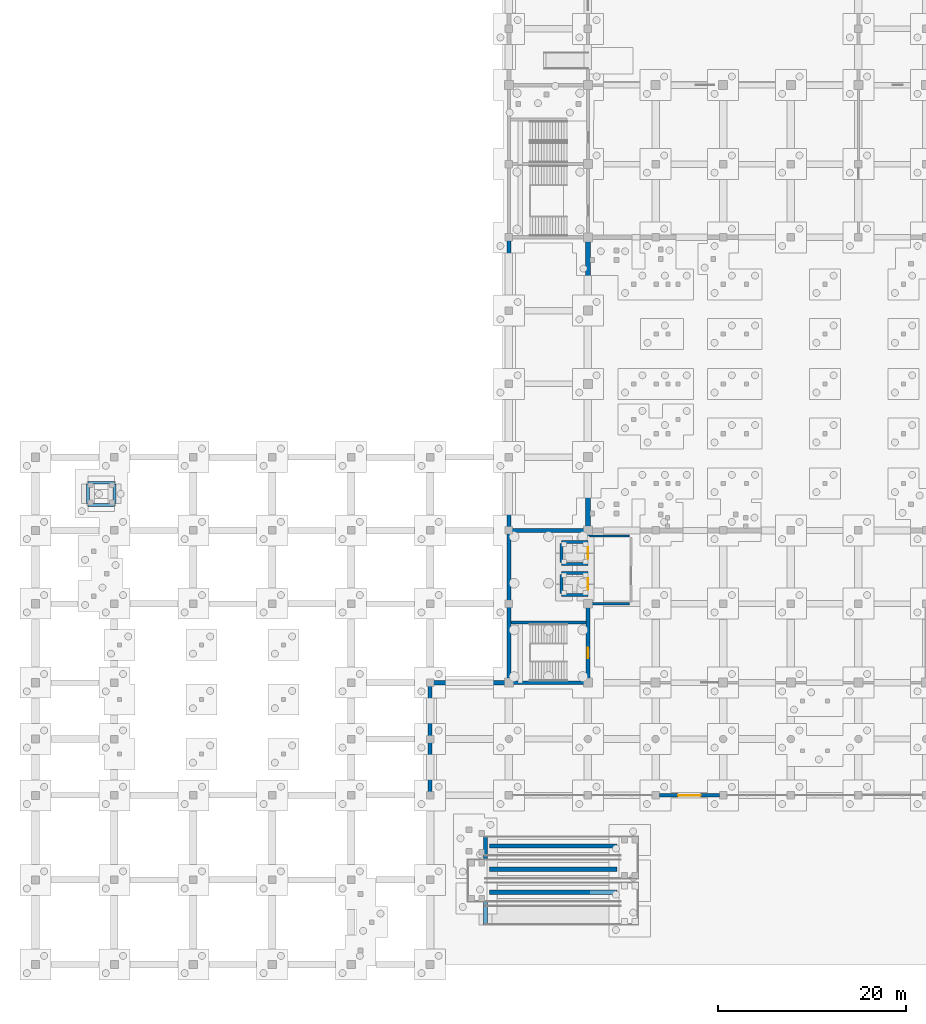
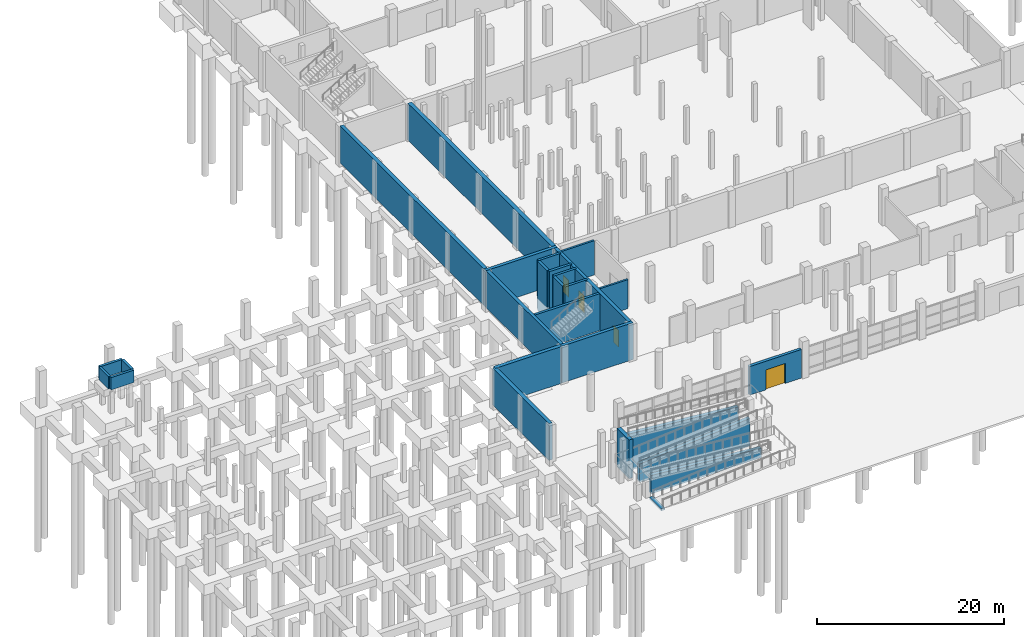
# One storey, part 29 of 42: 27 walls, 4 doors, 4 openings.
"""IFC4 building model written with IfcOpenShell, lengths in metres."""

from ifc_helpers import new_model, si_unit, direction, frame, frame_2d, origin, place, context, subcontext, project, spatial, polyline, rectangle, outline, extrude, material, layer, layer_set, type_object, element, fill, save


model = new_model("IFC4")

# Units and contexts
model_context = context("Model", 3, precision=1e-05, world=origin(), true_north=direction((0.0, 1.0)))
body_context = subcontext(model_context, "Body", "Model", "MODEL_VIEW")
ifc_project = project(units=[si_unit("LENGTHUNIT", "METRE"), si_unit("AREAUNIT", "SQUARE_METRE"), si_unit("VOLUMEUNIT", "CUBIC_METRE"), si_unit("PLANEANGLEUNIT", "RADIAN"), si_unit("MASSUNIT", "GRAM", prefix="KILO")], contexts=[model_context])

# Site, building, storey
site_placement = place(None, origin())
site = spatial("IfcSite", under=ifc_project, at=site_placement, CompositionType="ELEMENT")
building_placement = place(site_placement, origin())
building = spatial("IfcBuilding", under=site, at=building_placement, Name="Pellamere Symphony Hall", CompositionType="ELEMENT")
storey_placement = place(building_placement, frame((0.0, 0.0, -4.800048828125)))
storey = spatial("IfcBuildingStorey", under=building, at=storey_placement, Name="B1", CompositionType="ELEMENT", Elevation=-4.800048828125)

# Wall, opening, door
ifc_material_1 = material(Name="Precast concrete 40 MPa", Category="concrete")
ifc_layer_1 = layer(ifc_material_1, 0.360107421875, Name="Precast concrete 40 MPa")
ifc_layer_set_1 = layer_set([ifc_layer_1], Name="Precast concrete 40 MPa")
wall_type_1 = type_object("IfcWallType", Name="Exterior Wall EW-01 360mm", PredefinedType="SOLIDWALL", material=ifc_layer_set_1)
wall_1_placement = place(storey_placement, frame((66.39990234375, 18.0, 0.0), z_axis=(0.0, 0.0, 1.0), x_axis=(1.0, 0.0, 0.0)))
wall_1 = element("IfcWall", 1, at=wall_1_placement, inside=storey, type_object=wall_type_1, Name="Exterior Wall EW-01-036 (B1)", PredefinedType="SOLIDWALL", context=body_context, shape_type="SweptSolid", body=[
    extrude(rectangle(XDim=6.400146484375, YDim=0.360107421875, at=frame_2d((3.2001953125, 0.0))), origin(), (0.0, 0.0, 1.0), 3.72998046875),
])
opening_1_placement = place(wall_1_placement, frame((2.0, 0.0, 0.0)))
opening_1 = element("IfcOpeningElement", 2, at=opening_1_placement, cuts=wall_1, Name="Opening E01", PredefinedType="OPENING", context=body_context, shape_type="SweptSolid", body=[
    extrude(rectangle(XDim=2.39990234375, YDim=2.60009765625, at=frame_2d((1.199951171875, 1.300048828125))), frame((0.0, 0.18994140625, 0.0), z_axis=(0.0, -1.0, 0.0), x_axis=(1.0, 0.0, 0.0)), (0.0, 0.0, 1.0), 0.380126953125),
])
ifc_material_2 = material(Name="Thermally Broken Bronze-Anodised Aluminium Acoustic Door", Category="aluminium")
door_type_1 = type_object("IfcDoorType", Name="Exterior Door ED-01 2400x2600", OperationType="NOTDEFINED", PredefinedType="DOOR", material=ifc_material_2)
door_1_placement = place(opening_1_placement, frame((2.39990234375, 0.0, 0.0), z_axis=(0.0, 0.0, 1.0), x_axis=(-1.0, 0.0, 0.0)))
door_1 = element("IfcDoor", 3, at=door_1_placement, inside=storey, type_object=door_type_1, Name="Metro Forecourt West Portal", OperationType="DOUBLE_DOOR_SINGLE_SWING", OverallHeight=2.60009765625, OverallWidth=2.39990234375, PredefinedType="DOOR", context=body_context, shape_type="SweptSolid", body=[
    extrude(rectangle(XDim=2.39990234375, YDim=2.60009765625, at=frame_2d((1.199951171875, 1.300048828125))), frame((0.0, 0.02490234375, 0.0), z_axis=(0.0, -1.0, 0.0), x_axis=(1.0, 0.0, 0.0)), (0.0, 0.0, 1.0), 0.050048828125),
])
fill(opening_1, door_1)

# Walls
ifc_material_3 = material(Name="Double-Stud STC-65 Acoustic Drywall Partition", Category="gypsum")
ifc_layer_2 = layer(ifc_material_3, 0.239990234375, Name="Double-Stud STC-65 Acoustic Drywall Partition")
ifc_layer_set_2 = layer_set([ifc_layer_2], Name="Double-Stud STC-65 Acoustic Drywall Partition")
wall_type_2 = type_object("IfcWallType", Name="Interior Partition IW-01 240mm", PredefinedType="PARTITIONING", material=ifc_layer_set_2)
wall_2_placement = place(storey_placement, frame((58.9599609375, 38.39990234375, 0.0), z_axis=(0.0, 0.0, 1.0), x_axis=(1.0, 0.0, 0.0)))
element("IfcWall", 4, at=wall_2_placement, inside=storey, type_object=wall_type_2, Name="Interior Partition IW-01-001 (B1)", PredefinedType="PARTITIONING", context=body_context, shape_type="SweptSolid", body=[
    extrude(rectangle(XDim=4.280029296875, YDim=0.239990234375, at=frame_2d((2.14013671875, 0.0))), origin(), (0.0, 0.0, 1.0), 3.780029296875),
])
wall_3_placement = place(storey_placement, frame((58.9599609375, 45.60009765625, 0.0), z_axis=(0.0, 0.0, 1.0), x_axis=(1.0, 0.0, 0.0)))
element("IfcWall", 5, at=wall_3_placement, inside=storey, type_object=wall_type_2, Name="Interior Partition IW-01-002 (B1)", PredefinedType="PARTITIONING", context=body_context, shape_type="SweptSolid", body=[
    extrude(rectangle(XDim=4.280029296875, YDim=0.239990234375, at=frame_2d((2.14013671875, 0.0))), origin(), (0.0, 0.0, 1.0), 4.469970703125),
])
ifc_material_4 = material(Name="Concrete 40 MPa", Category="concrete")
ifc_layer_3 = layer(ifc_material_4, 0.449951171875, Name="Concrete 40 MPa")
ifc_layer_set_3 = layer_set([ifc_layer_3], Name="Concrete 40 MPa")
wall_type_3 = type_object("IfcWallType", Name="Structural Wall SW-01 450mm", PredefinedType="USERDEFINED", material=ifc_layer_set_3)
wall_4_placement = place(storey_placement, frame((42.0, 18.0, 0.0), z_axis=(0.0, 0.0, 1.0), x_axis=(0.0, 1.0, 0.0)))
element("IfcWall", 6, at=wall_4_placement, inside=storey, type_object=wall_type_3, Name="Basement Retaining Wall RW-01", ObjectType="RETAINING", PredefinedType="USERDEFINED", context=body_context, shape_type="SweptSolid", body=[
    extrude(rectangle(XDim=12.0, YDim=0.449951171875, at=frame_2d((6.0, 0.0))), origin(), (0.0, 0.0, 1.0), 4.800048828125),
])
wall_5_placement = place(storey_placement, frame((42.0, 30.0, 0.0), z_axis=(0.0, 0.0, 1.0), x_axis=(1.0, 0.0, 0.0)))
element("IfcWall", 7, at=wall_5_placement, inside=storey, type_object=wall_type_3, Name="Basement Retaining Wall RW-02", ObjectType="RETAINING", PredefinedType="USERDEFINED", context=body_context, shape_type="SweptSolid", body=[
    extrude(rectangle(XDim=8.14990234375, YDim=0.449951171875, at=frame_2d((4.074951171875, 0.0))), origin(), (0.0, 0.0, 1.0), 4.800048828125),
])
wall_6_placement = place(storey_placement, frame((50.39990234375, 46.449951171875, 0.0), z_axis=(0.0, 0.0, 1.0), x_axis=(0.0, 1.0, 0.0)))
element("IfcWall", 8, at=wall_6_placement, inside=storey, type_object=wall_type_3, Name="Basement Retaining Wall RW-03", ObjectType="RETAINING", PredefinedType="USERDEFINED", context=body_context, shape_type="SweptSolid", body=[
    extrude(rectangle(XDim=30.699951171875, YDim=0.449951171875, at=frame_2d((15.35009765625, 0.0))), origin(), (0.0, 0.0, 1.0), 4.800048828125),
])
wall_7_placement = place(storey_placement, frame((47.89990234375, 4.199951171875, -0.25), z_axis=(0.0, 0.0, 1.0), x_axis=(0.0, 1.0, 0.0)))
element("IfcWall", 9, at=wall_7_placement, inside=storey, type_object=wall_type_3, Name="Ramp RMP-01 Lower Sill Wall", ObjectType="RETAINING", PredefinedType="USERDEFINED", context=body_context, shape_type="SweptSolid", body=[
    extrude(rectangle(XDim=2.56005859375, YDim=0.449951171875, at=frame_2d((1.280029296875, 0.0))), origin(), (0.0, 0.0, 1.0), 0.25),
])
wall_8_placement = place(storey_placement, frame((48.300048828125, 7.699951171875, -0.25), z_axis=(0.0, 0.0, 1.0), x_axis=(1.0, 0.0, 0.0)))
element("IfcWall", 10, at=wall_8_placement, inside=storey, type_object=wall_type_3, Name="Ramp RMP-01 Flight 2 Spine Support Wall", ObjectType="RETAINING", PredefinedType="USERDEFINED", context=body_context, shape_type="SweptSolid", body=[
    extrude(outline(polyline([(0.0, 0.0), (13.599853515625, 0.0), (13.60009765625, 1.199951171875), (0.0, 2.400146484375), (0.0, 0.0)])), frame((0.0, 0.22509765625, 0.0), z_axis=(0.0, -1.0, 0.0), x_axis=(1.0, 0.0, 0.0)), (0.0, 0.0, 1.0), 0.449951171875),
])
wall_9_placement = place(storey_placement, frame((48.300048828125, 10.14990234375, -0.25), z_axis=(0.0, 0.0, 1.0), x_axis=(1.0, 0.0, 0.0)))
element("IfcWall", 11, at=wall_9_placement, inside=storey, type_object=wall_type_3, Name="Ramp RMP-01 Flight 3 Spine Support Wall", ObjectType="RETAINING", PredefinedType="USERDEFINED", context=body_context, shape_type="SweptSolid", body=[
    extrude(outline(polyline([(0.0, 0.0), (13.599853515625, 0.0), (13.60009765625, 3.60009765625), (0.0, 2.400146484375), (0.0, 0.0)])), frame((0.0, 0.22509765625, 0.0), z_axis=(0.0, -1.0, 0.0), x_axis=(1.0, 0.0, 0.0)), (0.0, 0.0, 1.0), 0.449951171875),
])
wall_10_placement = place(storey_placement, frame((48.300048828125, 12.60009765625, -0.25), z_axis=(0.0, 0.0, 1.0), x_axis=(1.0, 0.0, 0.0)))
element("IfcWall", 12, at=wall_10_placement, inside=storey, type_object=wall_type_3, Name="Ramp RMP-01 Flight 4 Spine Support Wall", ObjectType="RETAINING", PredefinedType="USERDEFINED", context=body_context, shape_type="SweptSolid", body=[
    extrude(outline(polyline([(0.0, 0.0), (13.599853515625, 0.0), (13.60009765625, 3.60009765625), (0.0, 4.800048828125), (0.0, 0.0)])), frame((0.0, 0.22509765625, 0.0), z_axis=(0.0, -1.0, 0.0), x_axis=(1.0, 0.0, 0.0)), (0.0, 0.0, 1.0), 0.449951171875),
])
wall_11_placement = place(storey_placement, frame((47.89990234375, 11.090087890625, -0.25), z_axis=(0.0, 0.0, 1.0), x_axis=(0.0, 1.0, 0.0)))
element("IfcWall", 13, at=wall_11_placement, inside=storey, type_object=wall_type_3, Name="Ramp RMP-01 Top Abutment Bearing Wall", ObjectType="RETAINING", PredefinedType="USERDEFINED", context=body_context, shape_type="SweptSolid", body=[
    extrude(rectangle(XDim=2.559814453125, YDim=0.449951171875, at=frame_2d((1.27978515625, 0.0))), origin(), (0.0, 0.0, 1.0), 5.050048828125),
])
ifc_material_5 = material(Name="Concrete 50 MPa", Category="concrete")
ifc_layer_4 = layer(ifc_material_5, 0.39990234375, Name="Concrete 50 MPa")
ifc_layer_set_4 = layer_set([ifc_layer_4], Name="Concrete 50 MPa")
wall_type_4 = type_object("IfcWallType", Name="Structural Wall SW-02 400mm", PredefinedType="SHEAR", material=ifc_layer_set_4)
for number, where, z_axis, x_axis, name in (
    (14, (50.199951171875, 30.0, 0.0), (0.0, 0.0, 1.0), (1.0, 0.0, 0.0), "Core Shear Wall C1 S (B1)"),
    (15, (50.199951171875, 46.199951171875, 0.0), (0.0, 0.0, 1.0), (1.0, 0.0, 0.0), "Core Shear Wall C1 N (B1)"),
):
    element("IfcWall", number, at=place(storey_placement, frame(where, z_axis=z_axis, x_axis=x_axis)), inside=storey, type_object=wall_type_4, Name=name, PredefinedType="SHEAR", context=body_context, shape_type="SweptSolid", body=[
        extrude(rectangle(XDim=8.800048828125, YDim=0.39990234375, at=frame_2d((4.39990234375, 0.0))), origin(), (0.0, 0.0, 1.0), 4.800048828125),
    ])
wall_12_placement = place(storey_placement, frame((50.39990234375, 30.199951171875, 0.0), z_axis=(0.0, 0.0, 1.0), x_axis=(0.0, 1.0, 0.0)))
element("IfcWall", 16, at=wall_12_placement, inside=storey, type_object=wall_type_4, Name="Core Shear Wall C1 W (B1)", PredefinedType="SHEAR", context=body_context, shape_type="SweptSolid", body=[
    extrude(rectangle(XDim=15.800048828125, YDim=0.39990234375, at=frame_2d((7.89990234375, 0.0))), origin(), (0.0, 0.0, 1.0), 4.800048828125),
])

# Wall, openings, doors
wall_13_placement = place(storey_placement, frame((58.800048828125, 30.199951171875, 0.0), z_axis=(0.0, 0.0, 1.0), x_axis=(0.0, 1.0, 0.0)))
wall_13 = element("IfcWall", 17, at=wall_13_placement, inside=storey, type_object=wall_type_4, Name="Core Shear Wall C1 E (B1)", PredefinedType="SHEAR", context=body_context, shape_type="SweptSolid", body=[
    extrude(rectangle(XDim=15.800048828125, YDim=0.39990234375, at=frame_2d((7.89990234375, 0.0))), origin(), (0.0, 0.0, 1.0), 4.800048828125),
])
opening_2_placement = place(wall_13_placement, frame((9.699951171875, 0.0, 0.0)))
opening_2 = element("IfcOpeningElement", 18, at=opening_2_placement, cuts=wall_13, Name="Opening LD-01", PredefinedType="OPENING", context=body_context, shape_type="SweptSolid", body=[
    extrude(rectangle(XDim=1.199951171875, YDim=2.199951171875, at=frame_2d((0.60009765625, 1.10009765625))), frame((0.0, 0.2099609375, 0.0), z_axis=(0.0, -1.0, 0.0), x_axis=(1.0, 0.0, 0.0)), (0.0, 0.0, 1.0), 0.419921875),
])
opening_3_placement = place(wall_13_placement, frame((13.0, 0.0, 0.0)))
opening_3 = element("IfcOpeningElement", 19, at=opening_3_placement, cuts=wall_13, Name="Opening LD-07", PredefinedType="OPENING", context=body_context, shape_type="SweptSolid", body=[
    extrude(rectangle(XDim=1.199951171875, YDim=2.199951171875, at=frame_2d((0.60009765625, 1.10009765625))), frame((0.0, 0.2099609375, 0.0), z_axis=(0.0, -1.0, 0.0), x_axis=(1.0, 0.0, 0.0)), (0.0, 0.0, 1.0), 0.419921875),
])
opening_4_placement = place(wall_13_placement, frame((2.39990234375, 0.0, 0.0)))
opening_4 = element("IfcOpeningElement", 20, at=opening_4_placement, cuts=wall_13, Name="Opening SD-01", PredefinedType="OPENING", context=body_context, shape_type="SweptSolid", body=[
    extrude(rectangle(XDim=1.10009765625, YDim=2.199951171875, at=frame_2d((0.550048828125, 1.10009765625))), frame((0.0, 0.2099609375, 0.0), z_axis=(0.0, -1.0, 0.0), x_axis=(1.0, 0.0, 0.0)), (0.0, 0.0, 1.0), 0.419921875),
])
ifc_material_6 = material(Name="Stainless Steel AISI 316 Elevator Landing Door", Category="steel")
door_type_2 = type_object("IfcDoorType", Name="Interior Door ID-LD1 1200x2200", OperationType="NOTDEFINED", PredefinedType="DOOR", material=ifc_material_6)
door_2_placement = place(opening_2_placement, origin())
door_2 = element("IfcDoor", 21, at=door_2_placement, inside=storey, type_object=door_type_2, Name="Elevator PL1 Sliding Landing Door (B1)", OperationType="SLIDING_TO_LEFT", OverallHeight=2.199951171875, OverallWidth=1.199951171875, PredefinedType="DOOR", context=body_context, shape_type="SweptSolid", body=[
    extrude(rectangle(XDim=1.199951171875, YDim=2.199951171875, at=frame_2d((0.60009765625, 1.10009765625))), frame((0.0, 0.02490234375, 0.0), z_axis=(0.0, -1.0, 0.0), x_axis=(1.0, 0.0, 0.0)), (0.0, 0.0, 1.0), 0.050048828125),
])
fill(opening_2, door_2)
door_3_placement = place(opening_3_placement, origin())
door_3 = element("IfcDoor", 22, at=door_3_placement, inside=storey, type_object=door_type_2, Name="Elevator PL2 Sliding Landing Door (B1)", OperationType="SLIDING_TO_LEFT", OverallHeight=2.199951171875, OverallWidth=1.199951171875, PredefinedType="DOOR", context=body_context, shape_type="SweptSolid", body=[
    extrude(rectangle(XDim=1.199951171875, YDim=2.199951171875, at=frame_2d((0.60009765625, 1.10009765625))), frame((0.0, 0.02490234375, 0.0), z_axis=(0.0, -1.0, 0.0), x_axis=(1.0, 0.0, 0.0)), (0.0, 0.0, 1.0), 0.050048828125),
])
fill(opening_3, door_3)
ifc_material_7 = material(Name="Fire-Rated Steel Exit Stair Door", Category="steel")
door_type_3 = type_object("IfcDoorType", Name="Interior Door ID-SD1 1100x2200", OperationType="NOTDEFINED", PredefinedType="DOOR", material=ifc_material_7)
door_4_placement = place(opening_4_placement, origin())
door_4 = element("IfcDoor", 23, at=door_4_placement, inside=storey, type_object=door_type_3, Name="Core C1 Exit Stair Door (B1)", OperationType="SINGLE_SWING_LEFT", OverallHeight=2.199951171875, OverallWidth=1.10009765625, PredefinedType="DOOR", context=body_context, shape_type="SweptSolid", body=[
    extrude(rectangle(XDim=1.10009765625, YDim=2.199951171875, at=frame_2d((0.550048828125, 1.10009765625))), frame((0.0, 0.02490234375, 0.0), z_axis=(0.0, -1.0, 0.0), x_axis=(1.0, 0.0, 0.0)), (0.0, 0.0, 1.0), 0.050048828125),
])
fill(opening_4, door_4)

# Walls
ifc_layer_5 = layer(ifc_material_4, 0.300048828125, Name="Concrete 40 MPa")
ifc_layer_set_5 = layer_set([ifc_layer_5], Name="Concrete 40 MPa")
wall_type_5 = type_object("IfcWallType", Name="Structural Wall SW-04 300mm", PredefinedType="SHEAR", material=ifc_layer_set_5)
for number, where, z_axis, x_axis, name in (
    (24, (56.0, 39.324951171875, -1.599853515625), (0.0, 0.0, 1.0), (1.0, 0.0, 0.0), "Elevator PL1 Hoistway Wall S (B1)"),
    (25, (56.0, 41.675048828125, -1.599853515625), (0.0, 0.0, 1.0), (1.0, 0.0, 0.0), "Elevator PL1 Hoistway Wall N (B1)"),
):
    element("IfcWall", number, at=place(storey_placement, frame(where, z_axis=z_axis, x_axis=x_axis)), inside=storey, type_object=wall_type_5, Name=name, PredefinedType="SHEAR", context=body_context, shape_type="SweptSolid", body=[
        extrude(rectangle(XDim=2.800048828125, YDim=0.300048828125, at=frame_2d((1.39990234375, 0.0))), origin(), (0.0, 0.0, 1.0), 6.39990234375),
    ])
wall_14_placement = place(storey_placement, frame((56.0, 39.47509765625, -1.599853515625), z_axis=(0.0, 0.0, 1.0), x_axis=(0.0, 1.0, 0.0)))
element("IfcWall", 26, at=wall_14_placement, inside=storey, type_object=wall_type_5, Name="Elevator PL1 Hoistway Wall W (B1)", PredefinedType="SHEAR", context=body_context, shape_type="SweptSolid", body=[
    extrude(rectangle(XDim=2.0498046875, YDim=0.300048828125, at=frame_2d((1.02490234375, 0.0))), origin(), (0.0, 0.0, 1.0), 6.39990234375),
])
for number, where, z_axis, x_axis, name in (
    (27, (56.0, 42.625, -1.599853515625), (0.0, 0.0, 1.0), (1.0, 0.0, 0.0), "Elevator PL2 Hoistway Wall S (B1)"),
    (28, (56.0, 44.97509765625, -1.599853515625), (0.0, 0.0, 1.0), (1.0, 0.0, 0.0), "Elevator PL2 Hoistway Wall N (B1)"),
):
    element("IfcWall", number, at=place(storey_placement, frame(where, z_axis=z_axis, x_axis=x_axis)), inside=storey, type_object=wall_type_5, Name=name, PredefinedType="SHEAR", context=body_context, shape_type="SweptSolid", body=[
        extrude(rectangle(XDim=2.800048828125, YDim=0.300048828125, at=frame_2d((1.39990234375, 0.0))), origin(), (0.0, 0.0, 1.0), 6.39990234375),
    ])
wall_15_placement = place(storey_placement, frame((56.0, 42.77490234375, -1.599853515625), z_axis=(0.0, 0.0, 1.0), x_axis=(0.0, 1.0, 0.0)))
element("IfcWall", 29, at=wall_15_placement, inside=storey, type_object=wall_type_5, Name="Elevator PL2 Hoistway Wall W (B1)", PredefinedType="SHEAR", context=body_context, shape_type="SweptSolid", body=[
    extrude(rectangle(XDim=2.050048828125, YDim=0.300048828125, at=frame_2d((1.02490234375, 0.0))), origin(), (0.0, 0.0, 1.0), 6.39990234375),
])
for number, where, z_axis, x_axis, name in (
    (30, (5.60009765625, 48.925048828125, 3.199951171875), (0.0, 0.0, 1.0), (1.0, 0.0, 0.0), "Elevator PL5 Pit Wall S (B1)"),
    (31, (5.60009765625, 51.27490234375, 3.199951171875), (0.0, 0.0, 1.0), (1.0, 0.0, 0.0), "Elevator PL5 Pit Wall N (B1)"),
):
    element("IfcWall", number, at=place(storey_placement, frame(where, z_axis=z_axis, x_axis=x_axis)), inside=storey, type_object=wall_type_5, Name=name, PredefinedType="SHEAR", context=body_context, shape_type="SweptSolid", body=[
        extrude(rectangle(XDim=2.7998046875, YDim=0.300048828125, at=frame_2d((1.39990234375, 0.0))), origin(), (0.0, 0.0, 1.0), 1.60009765625),
    ])
for number, where, z_axis, x_axis, name in (
    (32, (5.60009765625, 49.074951171875, 3.199951171875), (0.0, 0.0, 1.0), (0.0, 1.0, 0.0), "Elevator PL5 Pit Wall W (B1)"),
    (33, (8.39990234375, 49.074951171875, 3.199951171875), (0.0, 0.0, 1.0), (0.0, 1.0, 0.0), "Elevator PL5 Pit Wall E (B1)"),
):
    element("IfcWall", number, at=place(storey_placement, frame(where, z_axis=z_axis, x_axis=x_axis)), inside=storey, type_object=wall_type_5, Name=name, PredefinedType="SHEAR", context=body_context, shape_type="SweptSolid", body=[
        extrude(rectangle(XDim=2.050048828125, YDim=0.300048828125, at=frame_2d((1.02490234375, 0.0))), origin(), (0.0, 0.0, 1.0), 1.60009765625),
    ])
ifc_material_8 = material(Name="Architectural warm-pigmented concrete 40 MPa", Category="concrete")
ifc_layer_6 = layer(ifc_material_8, 0.5, Name="Architectural warm-pigmented concrete 40 MPa")
ifc_layer_set_6 = layer_set([ifc_layer_6], Name="Architectural warm-pigmented concrete 40 MPa")
wall_type_6 = type_object("IfcWallType", Name="Structural Wall SW-05 500mm", PredefinedType="SOLIDWALL", material=ifc_layer_set_6)
wall_16_placement = place(storey_placement, frame((58.800048828125, 46.409912109375, 0.0), z_axis=(0.0, 0.0, 1.0), x_axis=(0.0, 1.0, 0.0)))
element("IfcWall", 34, at=wall_16_placement, inside=storey, type_object=wall_type_6, Name="Main Hall Acoustic Box Wall AW1-W (B1)", PredefinedType="SOLIDWALL", context=body_context, shape_type="SweptSolid", body=[
    extrude(rectangle(XDim=30.780029296875, YDim=0.5, at=frame_2d((15.39013671875, 0.0))), origin(), (0.0, 0.0, 1.0), 4.800048828125),
])
ifc_layer_7 = layer(ifc_material_4, 0.31005859375, Name="Concrete 40 MPa")
ifc_layer_set_7 = layer_set([ifc_layer_7], Name="Concrete 40 MPa")
wall_type_7 = type_object("IfcWallType", Name="Structural Wall SW-08 310mm", PredefinedType="SHEAR", material=ifc_layer_set_7)
wall_17_placement = place(storey_placement, frame((50.6201171875, 36.39990234375, 0.0), z_axis=(0.0, 0.0, 1.0), x_axis=(1.0, 0.0, 0.0)))
element("IfcWall", 35, at=wall_17_placement, inside=storey, type_object=wall_type_7, Name="Core Stair Divider Wall C1 (B1)", PredefinedType="SHEAR", context=body_context, shape_type="SweptSolid", body=[
    extrude(rectangle(XDim=7.9599609375, YDim=0.31005859375, at=frame_2d((3.97998046875, 0.0))), origin(), (0.0, 0.0, 1.0), 4.800048828125),
])

save(model, "model.ifc")
